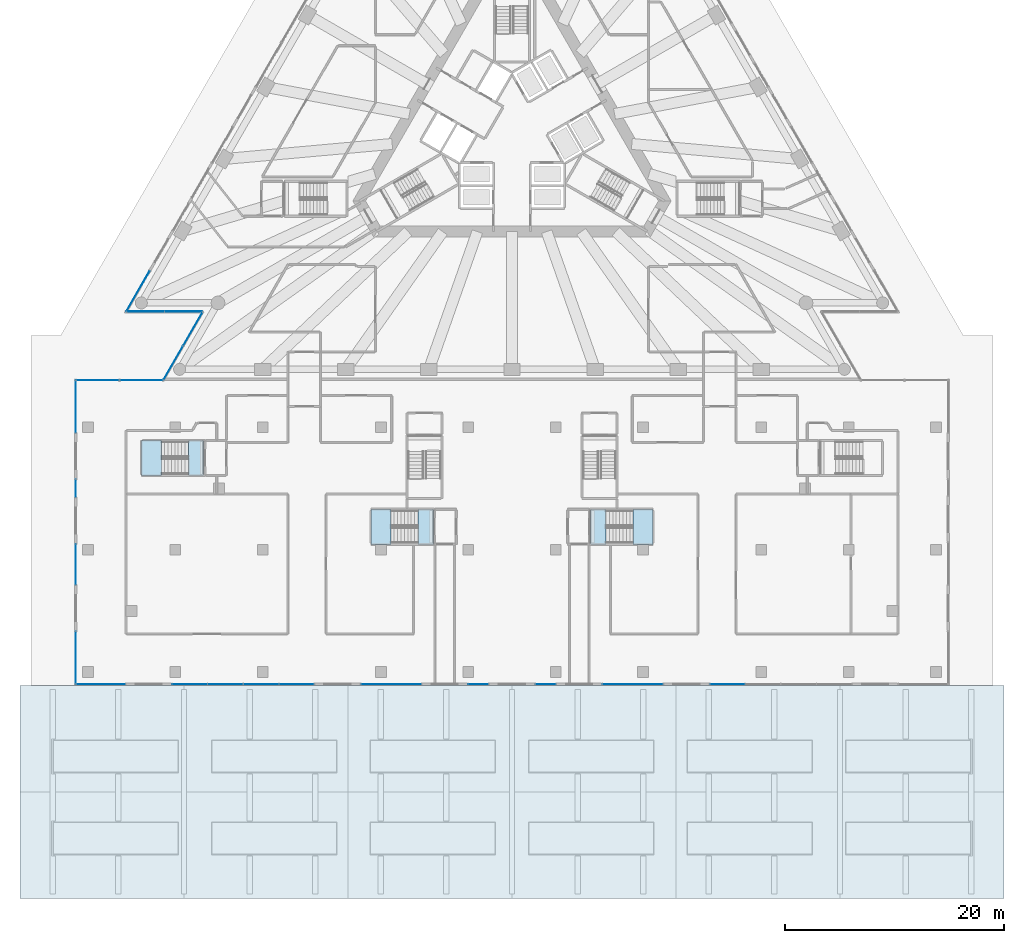
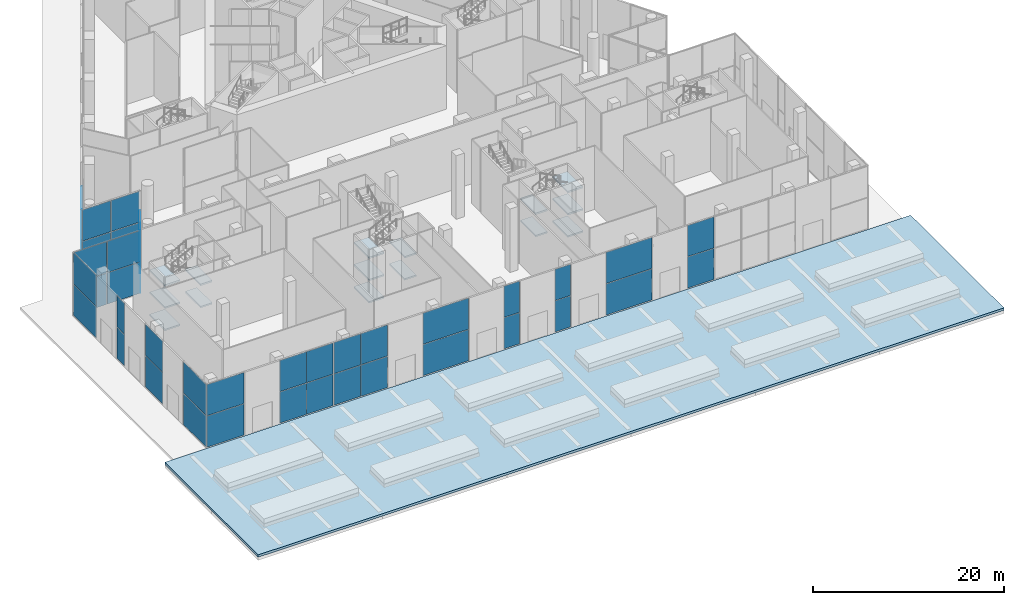
# One storey, part 16 of 41: 41 plates, 16 slabs, 20 elements without a shape of their own.
"""IFC4 building model written with IfcOpenShell, lengths in metres."""

from ifc_helpers import new_model, si_unit, direction, frame, origin, origin_2d, place, context, subcontext, project, spatial, polyline, rectangle, outline, extrude, material, layer, layer_set, type_object, element, aggregate, save


model = new_model("IFC4")

# Units and contexts
model_context = context("Model", 3, precision=1e-05, world=origin(), true_north=direction((0.0, 1.0)))
body_context = subcontext(model_context, "Body", "Model", "MODEL_VIEW")
ifc_project = project(units=[si_unit("LENGTHUNIT", "METRE"), si_unit("AREAUNIT", "SQUARE_METRE"), si_unit("VOLUMEUNIT", "CUBIC_METRE"), si_unit("PLANEANGLEUNIT", "RADIAN"), si_unit("MASSUNIT", "GRAM", prefix="KILO")], contexts=[model_context])

# Site, building, storey
site_placement = place(None, origin())
site = spatial("IfcSite", under=ifc_project, at=site_placement, CompositionType="ELEMENT")
building_placement = place(site_placement, origin())
building = spatial("IfcBuilding", under=site, at=building_placement, Name="Triada Interchange Tower", CompositionType="ELEMENT")
storey_placement = place(building_placement, origin())
storey = spatial("IfcBuildingStorey", under=building, at=storey_placement, Name="L00", CompositionType="ELEMENT", Elevation=0.0)

# Curtain wall, plates
ifc_material_1 = material(Name="Aluminium framed glazing", Category="aluminium")
ifc_layer_1 = layer(ifc_material_1, 0.199951171875)
ifc_layer_set_1 = layer_set([ifc_layer_1], Name="Curtain wall Concourse glazed screen")
curtain_wall_type_1 = type_object("IfcCurtainWallType", Name="Curtain wall Concourse glazed screen", PredefinedType="NOTDEFINED", material=ifc_layer_set_1)
curtain_wall_1_placement = place(storey_placement, origin())
curtain_wall_1 = element("IfcCurtainWall", 1, at=curtain_wall_1_placement, inside=storey, type_object=curtain_wall_type_1, Name="Concourse glazed screen CW038 L00", PredefinedType="NOTDEFINED")
ifc_material_2 = material(Name="Insulated glazing unit", Category="glass")
ifc_layer_2 = layer(ifc_material_2, 0.031982421875)
ifc_layer_set_2 = layer_set([ifc_layer_2], Name="Glazing panel Concourse glazed screen 32")
plate_type_1 = type_object("IfcPlateType", Name="Glazing panel Concourse glazed screen 32", PredefinedType="CURTAIN_PANEL", material=ifc_layer_set_2)
plate_1_placement = place(storey_placement, frame((-34.20458984375, -14.443603515625, 0.06005859375), z_axis=(0.0, 0.0, 1.0), x_axis=(-0.500074377095, -0.86598245789, 0.0)))
plate_1 = element("IfcPlate", 2, at=plate_1_placement, type_object=plate_type_1, Name="CW038 panel 1.1", PredefinedType="CURTAIN_PANEL", context=body_context, shape_type="SweptSolid", body=[
    extrude(rectangle(XDim=4.225341796875, YDim=0.031982421875, at=origin_2d()), origin(), (0.0, 0.0, 1.0), 3.9599609375),
])
plate_2_placement = place(storey_placement, frame((-34.20458984375, -14.443603515625, 4.080078125), z_axis=(0.0, 0.0, 1.0), x_axis=(-0.500074377095, -0.86598245789, 0.0)))
plate_2 = element("IfcPlate", 3, at=plate_2_placement, type_object=plate_type_1, Name="CW038 panel 1.2", PredefinedType="CURTAIN_PANEL", context=body_context, shape_type="SweptSolid", body=[
    extrude(rectangle(XDim=4.225341796875, YDim=0.031982421875, at=origin_2d()), origin(), (0.0, 0.0, 1.0), 3.9599609375),
])
aggregate(curtain_wall_1, [plate_1, plate_2])

ifc_layer_3 = layer(ifc_material_1, 0.199951171875)
ifc_layer_set_3 = layer_set([ifc_layer_3], Name="Curtain wall Retail shopfront")
curtain_wall_type_2 = type_object("IfcCurtainWallType", Name="Curtain wall Retail shopfront", PredefinedType="NOTDEFINED", material=ifc_layer_set_3)
curtain_wall_2_placement = place(storey_placement, origin())
curtain_wall_2 = element("IfcCurtainWall", 4, at=curtain_wall_2_placement, inside=storey, type_object=curtain_wall_type_2, Name="Retail shopfront CW001 L00", PredefinedType="NOTDEFINED")
ifc_layer_4 = layer(ifc_material_2, 0.028076171875)
ifc_layer_set_4 = layer_set([ifc_layer_4], Name="Glazing panel Retail shopfront 28")
plate_type_2 = type_object("IfcPlateType", Name="Glazing panel Retail shopfront 28", PredefinedType="CURTAIN_PANEL", material=ifc_layer_set_4)
plate_3_placement = place(storey_placement, frame((-37.610107421875, -50.39990234375, 0.050048828125), z_axis=(0.0, 0.0, 1.0), x_axis=(1.0, 0.0, 0.0)))
plate_3 = element("IfcPlate", 5, at=plate_3_placement, type_object=plate_type_2, Name="CW001 panel 1.1", PredefinedType="CURTAIN_PANEL", context=body_context, shape_type="SweptSolid", body=[
    extrude(rectangle(XDim=4.47998046875, YDim=0.028076171875, at=origin_2d()), origin(), (0.0, 0.0, 1.0), 3.97509765625),
])
plate_4_placement = place(storey_placement, frame((-37.610107421875, -50.39990234375, 4.074951171875), z_axis=(0.0, 0.0, 1.0), x_axis=(1.0, 0.0, 0.0)))
plate_4 = element("IfcPlate", 6, at=plate_4_placement, type_object=plate_type_2, Name="CW001 panel 1.2", PredefinedType="CURTAIN_PANEL", context=body_context, shape_type="SweptSolid", body=[
    extrude(rectangle(XDim=4.47998046875, YDim=0.028076171875, at=origin_2d()), origin(), (0.0, 0.0, 1.0), 3.97509765625),
])
aggregate(curtain_wall_2, [plate_3, plate_4])

curtain_wall_3_placement = place(storey_placement, origin())
curtain_wall_3 = element("IfcCurtainWall", 7, at=curtain_wall_3_placement, inside=storey, type_object=curtain_wall_type_2, Name="Retail shopfront CW002 L00", PredefinedType="NOTDEFINED")
plate_5_placement = place(storey_placement, frame((-29.476318359375, -50.39990234375, 0.050048828125), z_axis=(0.0, 0.0, 1.0), x_axis=(1.0, 0.0, 0.0)))
plate_5 = element("IfcPlate", 8, at=plate_5_placement, type_object=plate_type_2, Name="CW002 panel 1.1", PredefinedType="CURTAIN_PANEL", context=body_context, shape_type="SweptSolid", body=[
    extrude(rectangle(XDim=3.1875, YDim=0.028076171875, at=origin_2d()), origin(), (0.0, 0.0, 1.0), 3.97509765625),
])
plate_6_placement = place(storey_placement, frame((-29.476318359375, -50.39990234375, 4.074951171875), z_axis=(0.0, 0.0, 1.0), x_axis=(1.0, 0.0, 0.0)))
plate_6 = element("IfcPlate", 9, at=plate_6_placement, type_object=plate_type_2, Name="CW002 panel 1.2", PredefinedType="CURTAIN_PANEL", context=body_context, shape_type="SweptSolid", body=[
    extrude(rectangle(XDim=3.1875, YDim=0.028076171875, at=origin_2d()), origin(), (0.0, 0.0, 1.0), 3.97509765625),
])
plate_7_placement = place(storey_placement, frame((-26.23876953125, -50.39990234375, 0.050048828125), z_axis=(0.0, 0.0, 1.0), x_axis=(1.0, 0.0, 0.0)))
plate_7 = element("IfcPlate", 10, at=plate_7_placement, type_object=plate_type_2, Name="CW002 panel 2.1", PredefinedType="CURTAIN_PANEL", context=body_context, shape_type="SweptSolid", body=[
    extrude(rectangle(XDim=3.1875, YDim=0.028076171875, at=origin_2d()), origin(), (0.0, 0.0, 1.0), 3.97509765625),
])
plate_8_placement = place(storey_placement, frame((-26.23876953125, -50.39990234375, 4.074951171875), z_axis=(0.0, 0.0, 1.0), x_axis=(1.0, 0.0, 0.0)))
plate_8 = element("IfcPlate", 11, at=plate_8_placement, type_object=plate_type_2, Name="CW002 panel 2.2", PredefinedType="CURTAIN_PANEL", context=body_context, shape_type="SweptSolid", body=[
    extrude(rectangle(XDim=3.1875, YDim=0.028076171875, at=origin_2d()), origin(), (0.0, 0.0, 1.0), 3.97509765625),
])
aggregate(curtain_wall_3, [plate_5, plate_6, plate_7, plate_8])

curtain_wall_4_placement = place(storey_placement, origin())
curtain_wall_4 = element("IfcCurtainWall", 12, at=curtain_wall_4_placement, inside=storey, type_object=curtain_wall_type_2, Name="Retail shopfront CW003 L00", PredefinedType="NOTDEFINED")
plate_9_placement = place(storey_placement, frame((-22.941162109375, -50.39990234375, 0.050048828125), z_axis=(0.0, 0.0, 1.0), x_axis=(1.0, 0.0, 0.0)))
plate_9 = element("IfcPlate", 13, at=plate_9_placement, type_object=plate_type_2, Name="CW003 panel 1.1", PredefinedType="CURTAIN_PANEL", context=body_context, shape_type="SweptSolid", body=[
    extrude(rectangle(XDim=3.1875, YDim=0.028076171875, at=origin_2d()), origin(), (0.0, 0.0, 1.0), 3.97509765625),
])
plate_10_placement = place(storey_placement, frame((-22.941162109375, -50.39990234375, 4.074951171875), z_axis=(0.0, 0.0, 1.0), x_axis=(1.0, 0.0, 0.0)))
plate_10 = element("IfcPlate", 14, at=plate_10_placement, type_object=plate_type_2, Name="CW003 panel 1.2", PredefinedType="CURTAIN_PANEL", context=body_context, shape_type="SweptSolid", body=[
    extrude(rectangle(XDim=3.1875, YDim=0.028076171875, at=origin_2d()), origin(), (0.0, 0.0, 1.0), 3.97509765625),
])
plate_11_placement = place(storey_placement, frame((-19.703857421875, -50.39990234375, 0.050048828125), z_axis=(0.0, 0.0, 1.0), x_axis=(1.0, 0.0, 0.0)))
plate_11 = element("IfcPlate", 15, at=plate_11_placement, type_object=plate_type_2, Name="CW003 panel 2.1", PredefinedType="CURTAIN_PANEL", context=body_context, shape_type="SweptSolid", body=[
    extrude(rectangle(XDim=3.1875, YDim=0.028076171875, at=origin_2d()), origin(), (0.0, 0.0, 1.0), 3.97509765625),
])
plate_12_placement = place(storey_placement, frame((-19.703857421875, -50.39990234375, 4.074951171875), z_axis=(0.0, 0.0, 1.0), x_axis=(1.0, 0.0, 0.0)))
plate_12 = element("IfcPlate", 16, at=plate_12_placement, type_object=plate_type_2, Name="CW003 panel 2.2", PredefinedType="CURTAIN_PANEL", context=body_context, shape_type="SweptSolid", body=[
    extrude(rectangle(XDim=3.1875, YDim=0.028076171875, at=origin_2d()), origin(), (0.0, 0.0, 1.0), 3.97509765625),
])
aggregate(curtain_wall_4, [plate_9, plate_10, plate_11, plate_12])

curtain_wall_5_placement = place(storey_placement, origin())
curtain_wall_5 = element("IfcCurtainWall", 17, at=curtain_wall_5_placement, inside=storey, type_object=curtain_wall_type_2, Name="Retail shopfront CW004 L00", PredefinedType="NOTDEFINED")
plate_13_placement = place(storey_placement, frame((-11.054931640625, -50.39990234375, 0.050048828125), z_axis=(0.0, 0.0, 1.0), x_axis=(1.0, 0.0, 0.0)))
plate_13 = element("IfcPlate", 18, at=plate_13_placement, type_object=plate_type_2, Name="CW004 panel 1.1", PredefinedType="CURTAIN_PANEL", context=body_context, shape_type="SweptSolid", body=[
    extrude(rectangle(XDim=5.510009765625, YDim=0.028076171875, at=origin_2d()), origin(), (0.0, 0.0, 1.0), 3.97509765625),
])
plate_14_placement = place(storey_placement, frame((-11.054931640625, -50.39990234375, 4.074951171875), z_axis=(0.0, 0.0, 1.0), x_axis=(1.0, 0.0, 0.0)))
plate_14 = element("IfcPlate", 19, at=plate_14_placement, type_object=plate_type_2, Name="CW004 panel 1.2", PredefinedType="CURTAIN_PANEL", context=body_context, shape_type="SweptSolid", body=[
    extrude(rectangle(XDim=5.510009765625, YDim=0.028076171875, at=origin_2d()), origin(), (0.0, 0.0, 1.0), 3.97509765625),
])
aggregate(curtain_wall_5, [plate_13, plate_14])

curtain_wall_6_placement = place(storey_placement, origin())
curtain_wall_6 = element("IfcCurtainWall", 20, at=curtain_wall_6_placement, inside=storey, type_object=curtain_wall_type_2, Name="Retail shopfront CW005 L00", PredefinedType="NOTDEFINED")
plate_15_placement = place(storey_placement, frame((-3.074951171875, -50.39990234375, 0.050048828125), z_axis=(0.0, 0.0, 1.0), x_axis=(1.0, 0.0, 0.0)))
plate_15 = element("IfcPlate", 21, at=plate_15_placement, type_object=plate_type_2, Name="CW005 panel 1.1", PredefinedType="CURTAIN_PANEL", context=body_context, shape_type="SweptSolid", body=[
    extrude(rectangle(XDim=1.85009765625, YDim=0.028076171875, at=origin_2d()), origin(), (0.0, 0.0, 1.0), 3.97509765625),
])
plate_16_placement = place(storey_placement, frame((-3.074951171875, -50.39990234375, 4.074951171875), z_axis=(0.0, 0.0, 1.0), x_axis=(1.0, 0.0, 0.0)))
plate_16 = element("IfcPlate", 22, at=plate_16_placement, type_object=plate_type_2, Name="CW005 panel 1.2", PredefinedType="CURTAIN_PANEL", context=body_context, shape_type="SweptSolid", body=[
    extrude(rectangle(XDim=1.85009765625, YDim=0.028076171875, at=origin_2d()), origin(), (0.0, 0.0, 1.0), 3.97509765625),
])
aggregate(curtain_wall_6, [plate_15, plate_16])

curtain_wall_7_placement = place(storey_placement, origin())
curtain_wall_7 = element("IfcCurtainWall", 23, at=curtain_wall_7_placement, inside=storey, type_object=curtain_wall_type_2, Name="Retail shopfront CW006 L00", PredefinedType="NOTDEFINED")
plate_17_placement = place(storey_placement, frame((3.074951171875, -50.39990234375, 0.050048828125), z_axis=(0.0, 0.0, 1.0), x_axis=(1.0, 0.0, 0.0)))
plate_17 = element("IfcPlate", 24, at=plate_17_placement, type_object=plate_type_2, Name="CW006 panel 1.1", PredefinedType="CURTAIN_PANEL", context=body_context, shape_type="SweptSolid", body=[
    extrude(rectangle(XDim=1.85009765625, YDim=0.028076171875, at=origin_2d()), origin(), (0.0, 0.0, 1.0), 3.97509765625),
])
plate_18_placement = place(storey_placement, frame((3.074951171875, -50.39990234375, 4.074951171875), z_axis=(0.0, 0.0, 1.0), x_axis=(1.0, 0.0, 0.0)))
plate_18 = element("IfcPlate", 25, at=plate_18_placement, type_object=plate_type_2, Name="CW006 panel 1.2", PredefinedType="CURTAIN_PANEL", context=body_context, shape_type="SweptSolid", body=[
    extrude(rectangle(XDim=1.85009765625, YDim=0.028076171875, at=origin_2d()), origin(), (0.0, 0.0, 1.0), 3.97509765625),
])
aggregate(curtain_wall_7, [plate_17, plate_18])

curtain_wall_8_placement = place(storey_placement, origin())
curtain_wall_8 = element("IfcCurtainWall", 26, at=curtain_wall_8_placement, inside=storey, type_object=curtain_wall_type_2, Name="Retail shopfront CW007 L00", PredefinedType="NOTDEFINED")
plate_19_placement = place(storey_placement, frame((11.054931640625, -50.39990234375, 0.050048828125), z_axis=(0.0, 0.0, 1.0), x_axis=(1.0, 0.0, 0.0)))
plate_19 = element("IfcPlate", 27, at=plate_19_placement, type_object=plate_type_2, Name="CW007 panel 1.1", PredefinedType="CURTAIN_PANEL", context=body_context, shape_type="SweptSolid", body=[
    extrude(rectangle(XDim=5.510009765625, YDim=0.028076171875, at=origin_2d()), origin(), (0.0, 0.0, 1.0), 3.97509765625),
])
plate_20_placement = place(storey_placement, frame((11.054931640625, -50.39990234375, 4.074951171875), z_axis=(0.0, 0.0, 1.0), x_axis=(1.0, 0.0, 0.0)))
plate_20 = element("IfcPlate", 28, at=plate_20_placement, type_object=plate_type_2, Name="CW007 panel 1.2", PredefinedType="CURTAIN_PANEL", context=body_context, shape_type="SweptSolid", body=[
    extrude(rectangle(XDim=5.510009765625, YDim=0.028076171875, at=origin_2d()), origin(), (0.0, 0.0, 1.0), 3.97509765625),
])
aggregate(curtain_wall_8, [plate_19, plate_20])

curtain_wall_9_placement = place(storey_placement, origin())
curtain_wall_9 = element("IfcCurtainWall", 29, at=curtain_wall_9_placement, inside=storey, type_object=curtain_wall_type_2, Name="Retail shopfront CW008 L00", PredefinedType="NOTDEFINED")
plate_21_placement = place(storey_placement, frame((19.703857421875, -50.39990234375, 0.050048828125), z_axis=(0.0, 0.0, 1.0), x_axis=(1.0, 0.0, 0.0)))
plate_21 = element("IfcPlate", 30, at=plate_21_placement, type_object=plate_type_2, Name="CW008 panel 1.1", PredefinedType="CURTAIN_PANEL", context=body_context, shape_type="SweptSolid", body=[
    extrude(rectangle(XDim=3.1875, YDim=0.028076171875, at=origin_2d()), origin(), (0.0, 0.0, 1.0), 3.97509765625),
])
plate_22_placement = place(storey_placement, frame((19.703857421875, -50.39990234375, 4.074951171875), z_axis=(0.0, 0.0, 1.0), x_axis=(1.0, 0.0, 0.0)))
plate_22 = element("IfcPlate", 31, at=plate_22_placement, type_object=plate_type_2, Name="CW008 panel 1.2", PredefinedType="CURTAIN_PANEL", context=body_context, shape_type="SweptSolid", body=[
    extrude(rectangle(XDim=3.1875, YDim=0.028076171875, at=origin_2d()), origin(), (0.0, 0.0, 1.0), 3.97509765625),
])
aggregate(curtain_wall_9, [plate_21, plate_22])

curtain_wall_10_placement = place(storey_placement, origin())
curtain_wall_10 = element("IfcCurtainWall", 32, at=curtain_wall_10_placement, inside=storey, type_object=curtain_wall_type_2, Name="Retail shopfront CW041 L00", PredefinedType="NOTDEFINED")
plate_23_placement = place(storey_placement, frame((-33.89599609375, -22.60009765625, 0.050048828125), z_axis=(0.0, 0.0, 1.0), x_axis=(-1.0, 0.0, 0.0)))
plate_23 = element("IfcPlate", 33, at=plate_23_placement, type_object=plate_type_2, Name="CW041 panel 1.1", PredefinedType="CURTAIN_PANEL", context=body_context, shape_type="SweptSolid", body=[
    extrude(rectangle(XDim=3.89599609375, YDim=0.028076171875, at=origin_2d()), origin(), (0.0, 0.0, 1.0), 3.97509765625),
])
plate_24_placement = place(storey_placement, frame((-33.89599609375, -22.60009765625, 4.074951171875), z_axis=(0.0, 0.0, 1.0), x_axis=(-1.0, 0.0, 0.0)))
plate_24 = element("IfcPlate", 34, at=plate_24_placement, type_object=plate_type_2, Name="CW041 panel 1.2", PredefinedType="CURTAIN_PANEL", context=body_context, shape_type="SweptSolid", body=[
    extrude(rectangle(XDim=3.89599609375, YDim=0.028076171875, at=origin_2d()), origin(), (0.0, 0.0, 1.0), 3.97509765625),
])
aggregate(curtain_wall_10, [plate_23, plate_24])

curtain_wall_11_placement = place(storey_placement, origin())
curtain_wall_11 = element("IfcCurtainWall", 35, at=curtain_wall_11_placement, inside=storey, type_object=curtain_wall_type_2, Name="Retail shopfront CW042 L00", PredefinedType="NOTDEFINED")
plate_25_placement = place(storey_placement, frame((-37.902099609375, -22.60009765625, 0.050048828125), z_axis=(0.0, 0.0, 1.0), x_axis=(-1.0, 0.0, 0.0)))
plate_25 = element("IfcPlate", 36, at=plate_25_placement, type_object=plate_type_2, Name="CW042 panel 1.1", PredefinedType="CURTAIN_PANEL", context=body_context, shape_type="SweptSolid", body=[
    extrude(rectangle(XDim=3.89599609375, YDim=0.028076171875, at=origin_2d()), origin(), (0.0, 0.0, 1.0), 3.97509765625),
])
plate_26_placement = place(storey_placement, frame((-37.902099609375, -22.60009765625, 4.074951171875), z_axis=(0.0, 0.0, 1.0), x_axis=(-1.0, 0.0, 0.0)))
plate_26 = element("IfcPlate", 37, at=plate_26_placement, type_object=plate_type_2, Name="CW042 panel 1.2", PredefinedType="CURTAIN_PANEL", context=body_context, shape_type="SweptSolid", body=[
    extrude(rectangle(XDim=3.89599609375, YDim=0.028076171875, at=origin_2d()), origin(), (0.0, 0.0, 1.0), 3.97509765625),
])
aggregate(curtain_wall_11, [plate_25, plate_26])

curtain_wall_12_placement = place(storey_placement, origin())
curtain_wall_12 = element("IfcCurtainWall", 38, at=curtain_wall_12_placement, inside=storey, type_object=curtain_wall_type_2, Name="Retail shopfront CW043 L00", PredefinedType="NOTDEFINED")
plate_27_placement = place(storey_placement, frame((-39.89990234375, -25.02490234375, 0.050048828125), z_axis=(0.0, 0.0, 1.0), x_axis=(0.0, -1.0, 0.0)))
plate_27 = element("IfcPlate", 39, at=plate_27_placement, type_object=plate_type_2, Name="CW043 panel 1.1", PredefinedType="CURTAIN_PANEL", context=body_context, shape_type="SweptSolid", body=[
    extrude(rectangle(XDim=4.75, YDim=0.028076171875, at=origin_2d()), origin(), (0.0, 0.0, 1.0), 3.97509765625),
])
plate_28_placement = place(storey_placement, frame((-39.89990234375, -25.02490234375, 4.074951171875), z_axis=(0.0, 0.0, 1.0), x_axis=(0.0, -1.0, 0.0)))
plate_28 = element("IfcPlate", 40, at=plate_28_placement, type_object=plate_type_2, Name="CW043 panel 1.2", PredefinedType="CURTAIN_PANEL", context=body_context, shape_type="SweptSolid", body=[
    extrude(rectangle(XDim=4.75, YDim=0.028076171875, at=origin_2d()), origin(), (0.0, 0.0, 1.0), 3.97509765625),
])
aggregate(curtain_wall_12, [plate_27, plate_28])

curtain_wall_13_placement = place(storey_placement, origin())
curtain_wall_13 = element("IfcCurtainWall", 41, at=curtain_wall_13_placement, inside=storey, type_object=curtain_wall_type_2, Name="Retail shopfront CW044 L00", PredefinedType="NOTDEFINED")
plate_29_placement = place(storey_placement, frame((-39.89990234375, -32.5, 0.050048828125), z_axis=(0.0, 0.0, 1.0), x_axis=(0.0, -1.0, 0.0)))
plate_29 = element("IfcPlate", 42, at=plate_29_placement, type_object=plate_type_2, Name="CW044 panel 1.1", PredefinedType="CURTAIN_PANEL", context=body_context, shape_type="SweptSolid", body=[
    extrude(rectangle(XDim=1.60009765625, YDim=0.028076171875, at=origin_2d()), origin(), (0.0, 0.0, 1.0), 3.97509765625),
])
plate_30_placement = place(storey_placement, frame((-39.89990234375, -32.5, 4.074951171875), z_axis=(0.0, 0.0, 1.0), x_axis=(0.0, -1.0, 0.0)))
plate_30 = element("IfcPlate", 43, at=plate_30_placement, type_object=plate_type_2, Name="CW044 panel 1.2", PredefinedType="CURTAIN_PANEL", context=body_context, shape_type="SweptSolid", body=[
    extrude(rectangle(XDim=1.60009765625, YDim=0.028076171875, at=origin_2d()), origin(), (0.0, 0.0, 1.0), 3.97509765625),
])
aggregate(curtain_wall_13, [plate_29, plate_30])

curtain_wall_14_placement = place(storey_placement, origin())
curtain_wall_14 = element("IfcCurtainWall", 44, at=curtain_wall_14_placement, inside=storey, type_object=curtain_wall_type_2, Name="Retail shopfront CW045 L00", PredefinedType="NOTDEFINED")
plate_31_placement = place(storey_placement, frame((-39.89990234375, -39.449951171875, 0.050048828125), z_axis=(0.0, 0.0, 1.0), x_axis=(0.0, -1.0, 0.0)))
plate_31 = element("IfcPlate", 45, at=plate_31_placement, type_object=plate_type_2, Name="CW045 panel 1.1", PredefinedType="CURTAIN_PANEL", context=body_context, shape_type="SweptSolid", body=[
    extrude(rectangle(XDim=3.699951171875, YDim=0.028076171875, at=origin_2d()), origin(), (0.0, 0.0, 1.0), 3.97509765625),
])
plate_32_placement = place(storey_placement, frame((-39.89990234375, -39.449951171875, 4.074951171875), z_axis=(0.0, 0.0, 1.0), x_axis=(0.0, -1.0, 0.0)))
plate_32 = element("IfcPlate", 46, at=plate_32_placement, type_object=plate_type_2, Name="CW045 panel 1.2", PredefinedType="CURTAIN_PANEL", context=body_context, shape_type="SweptSolid", body=[
    extrude(rectangle(XDim=3.699951171875, YDim=0.028076171875, at=origin_2d()), origin(), (0.0, 0.0, 1.0), 3.97509765625),
])
aggregate(curtain_wall_14, [plate_31, plate_32])

curtain_wall_15_placement = place(storey_placement, origin())
curtain_wall_15 = element("IfcCurtainWall", 47, at=curtain_wall_15_placement, inside=storey, type_object=curtain_wall_type_2, Name="Retail shopfront CW046 L00", PredefinedType="NOTDEFINED")
plate_33_placement = place(storey_placement, frame((-39.89990234375, -47.97509765625, 0.050048828125), z_axis=(0.0, 0.0, 1.0), x_axis=(0.0, -1.0, 0.0)))
plate_33 = element("IfcPlate", 48, at=plate_33_placement, type_object=plate_type_2, Name="CW046 panel 1.1", PredefinedType="CURTAIN_PANEL", context=body_context, shape_type="SweptSolid", body=[
    extrude(rectangle(XDim=4.75, YDim=0.028076171875, at=origin_2d()), origin(), (0.0, 0.0, 1.0), 3.97509765625),
])
plate_34_placement = place(storey_placement, frame((-39.89990234375, -47.97509765625, 4.074951171875), z_axis=(0.0, 0.0, 1.0), x_axis=(0.0, -1.0, 0.0)))
plate_34 = element("IfcPlate", 49, at=plate_34_placement, type_object=plate_type_2, Name="CW046 panel 1.2", PredefinedType="CURTAIN_PANEL", context=body_context, shape_type="SweptSolid", body=[
    extrude(rectangle(XDim=4.75, YDim=0.028076171875, at=origin_2d()), origin(), (0.0, 0.0, 1.0), 3.97509765625),
])
aggregate(curtain_wall_15, [plate_33, plate_34])

ifc_layer_5 = layer(ifc_material_1, 0.199951171875)
ifc_layer_set_5 = layer_set([ifc_layer_5], Name="Curtain wall Tower lobby glazing")
curtain_wall_type_3 = type_object("IfcCurtainWallType", Name="Curtain wall Tower lobby glazing", PredefinedType="NOTDEFINED", material=ifc_layer_set_5)
curtain_wall_16_placement = place(storey_placement, origin())
curtain_wall_16 = element("IfcCurtainWall", 50, at=curtain_wall_16_placement, inside=storey, type_object=curtain_wall_type_3, Name="Tower lobby glazing CW039 L00", PredefinedType="NOTDEFINED")
ifc_layer_6 = layer(ifc_material_2, 0.031982421875)
ifc_layer_set_6 = layer_set([ifc_layer_6], Name="Glazing panel Tower lobby glazing 32")
plate_type_3 = type_object("IfcPlateType", Name="Glazing panel Tower lobby glazing 32", PredefinedType="CURTAIN_PANEL", material=ifc_layer_set_6)
plate_35_placement = place(storey_placement, frame((-33.522216796875, -16.324951171875, 0.06005859375), z_axis=(0.0, 0.0, 1.0), x_axis=(1.0, 0.0, 0.0)))
plate_35 = element("IfcPlate", 51, at=plate_35_placement, type_object=plate_type_3, Name="CW039 panel 1.1", PredefinedType="CURTAIN_PANEL", context=body_context, shape_type="SweptSolid", body=[
    extrude(rectangle(XDim=3.41748046875, YDim=0.031982421875, at=origin_2d()), origin(), (0.0, 0.0, 1.0), 3.9599609375),
])
plate_36_placement = place(storey_placement, frame((-33.522216796875, -16.324951171875, 4.080078125), z_axis=(0.0, 0.0, 1.0), x_axis=(1.0, 0.0, 0.0)))
plate_36 = element("IfcPlate", 52, at=plate_36_placement, type_object=plate_type_3, Name="CW039 panel 1.2", PredefinedType="CURTAIN_PANEL", context=body_context, shape_type="SweptSolid", body=[
    extrude(rectangle(XDim=3.41748046875, YDim=0.031982421875, at=origin_2d()), origin(), (0.0, 0.0, 1.0), 3.9599609375),
])
plate_37_placement = place(storey_placement, frame((-30.044677734375, -16.324951171875, 0.06005859375), z_axis=(0.0, 0.0, 1.0), x_axis=(1.0, 0.0, 0.0)))
plate_37 = element("IfcPlate", 53, at=plate_37_placement, type_object=plate_type_3, Name="CW039 panel 2.1", PredefinedType="CURTAIN_PANEL", context=body_context, shape_type="SweptSolid", body=[
    extrude(rectangle(XDim=3.41748046875, YDim=0.031982421875, at=origin_2d()), origin(), (0.0, 0.0, 1.0), 3.9599609375),
])
plate_38_placement = place(storey_placement, frame((-30.044677734375, -16.324951171875, 4.080078125), z_axis=(0.0, 0.0, 1.0), x_axis=(1.0, 0.0, 0.0)))
plate_38 = element("IfcPlate", 54, at=plate_38_placement, type_object=plate_type_3, Name="CW039 panel 2.2", PredefinedType="CURTAIN_PANEL", context=body_context, shape_type="SweptSolid", body=[
    extrude(rectangle(XDim=3.41748046875, YDim=0.031982421875, at=origin_2d()), origin(), (0.0, 0.0, 1.0), 3.9599609375),
])
aggregate(curtain_wall_16, [plate_35, plate_36, plate_37, plate_38])

curtain_wall_17_placement = place(storey_placement, origin())
curtain_wall_17 = element("IfcCurtainWall", 55, at=curtain_wall_17_placement, inside=storey, type_object=curtain_wall_type_3, Name="Tower lobby glazing CW040 L00", PredefinedType="NOTDEFINED")
plate_39_placement = place(storey_placement, frame((-29.18896484375, -17.90673828125, 0.06005859375), z_axis=(0.0, 0.0, 1.0), x_axis=(-0.499909634761, -0.866077569894, 0.0)))
plate_39 = element("IfcPlate", 56, at=plate_39_placement, type_object=plate_type_3, Name="CW040 panel 1.1", PredefinedType="CURTAIN_PANEL", context=body_context, shape_type="SweptSolid", body=[
    extrude(rectangle(XDim=3.53271484375, YDim=0.031982421875, at=origin_2d()), origin(), (0.0, 0.0, 1.0), 3.9599609375),
])
plate_40_placement = place(storey_placement, frame((-30.985107421875, -21.018310546875, 0.06005859375), z_axis=(0.0, 0.0, 1.0), x_axis=(-0.499909634761, -0.866077569894, 0.0)))
plate_40 = element("IfcPlate", 57, at=plate_40_placement, type_object=plate_type_3, Name="CW040 panel 2.1", PredefinedType="CURTAIN_PANEL", context=body_context, shape_type="SweptSolid", body=[
    extrude(rectangle(XDim=3.53271484375, YDim=0.031982421875, at=origin_2d()), origin(), (0.0, 0.0, 1.0), 3.9599609375),
])
plate_41_placement = place(storey_placement, frame((-30.985107421875, -21.018310546875, 4.080078125), z_axis=(0.0, 0.0, 1.0), x_axis=(-0.499909634761, -0.866077569894, 0.0)))
plate_41 = element("IfcPlate", 58, at=plate_41_placement, type_object=plate_type_3, Name="CW040 panel 2.2", PredefinedType="CURTAIN_PANEL", context=body_context, shape_type="SweptSolid", body=[
    extrude(rectangle(XDim=3.53271484375, YDim=0.031982421875, at=origin_2d()), origin(), (0.0, 0.0, 1.0), 3.9599609375),
])
aggregate(curtain_wall_17, [plate_39, plate_40, plate_41])

# Slab
ifc_material_3 = material(Name="Granite paving on Concrete C30/37 base", Category="masonry")
ifc_layer_7 = layer(ifc_material_3, 0.300048828125)
ifc_layer_set_7 = layer_set([ifc_layer_7], Name="Paving slab 300")
slab_type_1 = type_object("IfcSlabType", Name="Paving slab 300", PredefinedType="USERDEFINED", material=ifc_layer_set_7)
slab_1_placement = place(storey_placement, frame((0.0, 0.0, -0.300048828125)))
element("IfcSlab", 59, at=slab_1_placement, inside=storey, type_object=slab_type_1, Name="Plaza paving 02", ObjectType="PAVING", PredefinedType="USERDEFINED", context=body_context, shape_type="SweptSolid", body=[
    extrude(outline(polyline([(40.0, -50.5), (-40.0, -50.5), (-45.0, -50.5), (-45.0, -70.0), (45.0, -70.0), (45.0, -50.5), (40.0, -50.5)])), origin(), (0.0, 0.0, 1.0), 0.300048828125),
])

# Stair, slabs
ifc_material_4 = material(Name="Concrete C35/45", Category="concrete")
stair_type = type_object("IfcStairType", Name="HALF TURN STAIR 1400", PredefinedType="HALF_TURN_STAIR", material=ifc_material_4)
stair_1_placement = place(storey_placement, origin())
stair_1 = element("IfcStair", 60, at=stair_1_placement, inside=storey, type_object=stair_type, Name="Exit stair S00-4", PredefinedType="HALF_TURN_STAIR")
ifc_layer_8 = layer(ifc_material_4, 0.199951171875)
ifc_layer_set_8 = layer_set([ifc_layer_8], Name="STAIR LANDING 200")
slab_type_2 = type_object("IfcSlabType", Name="STAIR LANDING 200", PredefinedType="LANDING", material=ifc_layer_set_8)
slab_2_placement = place(storey_placement, frame((0.0, 0.0, 1.216796875)))
slab_2 = element("IfcSlab", 61, at=slab_2_placement, type_object=slab_type_2, Name="S00-4 landing 1", PredefinedType="LANDING", context=body_context, shape_type="SweptSolid", body=[
    extrude(outline(polyline([(-12.89990234375, -37.60009765625), (-11.080078125, -37.60009765625), (-11.080078125, -34.39990234375), (-12.89990234375, -34.39990234375), (-12.89990234375, -37.60009765625)])), origin(), (0.0, 0.0, 1.0), 0.199951171875),
])
slab_3_placement = place(storey_placement, frame((0.0, 0.0, 4.050048828125)))
slab_3 = element("IfcSlab", 62, at=slab_3_placement, type_object=slab_type_2, Name="S00-4 landing 2", PredefinedType="LANDING", context=body_context, shape_type="SweptSolid", body=[
    extrude(outline(polyline([(-12.89990234375, -37.60009765625), (-11.080078125, -37.60009765625), (-11.080078125, -34.39990234375), (-12.89990234375, -34.39990234375), (-12.89990234375, -37.60009765625)])), origin(), (0.0, 0.0, 1.0), 0.199951171875),
])
slab_4_placement = place(storey_placement, frame((0.0, 0.0, 6.883544921875)))
slab_4 = element("IfcSlab", 63, at=slab_4_placement, type_object=slab_type_2, Name="S00-4 landing 3", PredefinedType="LANDING", context=body_context, shape_type="SweptSolid", body=[
    extrude(outline(polyline([(-12.89990234375, -37.60009765625), (-11.080078125, -37.60009765625), (-11.080078125, -34.39990234375), (-12.89990234375, -34.39990234375), (-12.89990234375, -37.60009765625)])), origin(), (0.0, 0.0, 1.0), 0.199951171875),
])
slab_5_placement = place(storey_placement, frame((0.0, 0.0, 2.63330078125)))
slab_5 = element("IfcSlab", 64, at=slab_5_placement, type_object=slab_type_2, Name="S00-4 landing 4", PredefinedType="LANDING", context=body_context, shape_type="SweptSolid", body=[
    extrude(outline(polyline([(-8.60009765625, -37.60009765625), (-7.199951171875, -37.60009765625), (-7.199951171875, -34.39990234375), (-8.60009765625, -34.39990234375), (-8.60009765625, -37.60009765625)])), origin(), (0.0, 0.0, 1.0), 0.2001953125),
])
slab_6_placement = place(storey_placement, frame((0.0, 0.0, 5.466796875)))
slab_6 = element("IfcSlab", 65, at=slab_6_placement, type_object=slab_type_2, Name="S00-4 landing 5", PredefinedType="LANDING", context=body_context, shape_type="SweptSolid", body=[
    extrude(outline(polyline([(-8.60009765625, -37.60009765625), (-7.199951171875, -37.60009765625), (-7.199951171875, -34.39990234375), (-8.60009765625, -34.39990234375), (-8.60009765625, -37.60009765625)])), origin(), (0.0, 0.0, 1.0), 0.199951171875),
])
aggregate(stair_1, [slab_2, slab_3, slab_4, slab_5, slab_6])

stair_2_placement = place(storey_placement, origin())
stair_2 = element("IfcStair", 66, at=stair_2_placement, inside=storey, type_object=stair_type, Name="Exit stair S00-5", PredefinedType="HALF_TURN_STAIR")
slab_7_placement = place(storey_placement, frame((0.0, 0.0, 1.216796875)))
slab_7 = element("IfcSlab", 67, at=slab_7_placement, type_object=slab_type_2, Name="S00-5 landing 1", PredefinedType="LANDING", context=body_context, shape_type="SweptSolid", body=[
    extrude(outline(polyline([(12.89990234375, -34.39990234375), (11.080078125, -34.39990234375), (11.080078125, -37.60009765625), (12.89990234375, -37.60009765625), (12.89990234375, -34.39990234375)])), origin(), (0.0, 0.0, 1.0), 0.199951171875),
])
slab_8_placement = place(storey_placement, frame((0.0, 0.0, 4.050048828125)))
slab_8 = element("IfcSlab", 68, at=slab_8_placement, type_object=slab_type_2, Name="S00-5 landing 2", PredefinedType="LANDING", context=body_context, shape_type="SweptSolid", body=[
    extrude(outline(polyline([(12.89990234375, -34.39990234375), (11.080078125, -34.39990234375), (11.080078125, -37.60009765625), (12.89990234375, -37.60009765625), (12.89990234375, -34.39990234375)])), origin(), (0.0, 0.0, 1.0), 0.199951171875),
])
slab_9_placement = place(storey_placement, frame((0.0, 0.0, 6.883544921875)))
slab_9 = element("IfcSlab", 69, at=slab_9_placement, type_object=slab_type_2, Name="S00-5 landing 3", PredefinedType="LANDING", context=body_context, shape_type="SweptSolid", body=[
    extrude(outline(polyline([(12.89990234375, -34.39990234375), (11.080078125, -34.39990234375), (11.080078125, -37.60009765625), (12.89990234375, -37.60009765625), (12.89990234375, -34.39990234375)])), origin(), (0.0, 0.0, 1.0), 0.199951171875),
])
slab_10_placement = place(storey_placement, frame((0.0, 0.0, 2.63330078125)))
slab_10 = element("IfcSlab", 70, at=slab_10_placement, type_object=slab_type_2, Name="S00-5 landing 4", PredefinedType="LANDING", context=body_context, shape_type="SweptSolid", body=[
    extrude(outline(polyline([(8.60009765625, -34.39990234375), (7.199951171875, -34.39990234375), (7.199951171875, -37.60009765625), (8.60009765625, -37.60009765625), (8.60009765625, -34.39990234375)])), origin(), (0.0, 0.0, 1.0), 0.2001953125),
])
slab_11_placement = place(storey_placement, frame((0.0, 0.0, 5.466796875)))
slab_11 = element("IfcSlab", 71, at=slab_11_placement, type_object=slab_type_2, Name="S00-5 landing 5", PredefinedType="LANDING", context=body_context, shape_type="SweptSolid", body=[
    extrude(outline(polyline([(8.60009765625, -34.39990234375), (7.199951171875, -34.39990234375), (7.199951171875, -37.60009765625), (8.60009765625, -37.60009765625), (8.60009765625, -34.39990234375)])), origin(), (0.0, 0.0, 1.0), 0.199951171875),
])
aggregate(stair_2, [slab_7, slab_8, slab_9, slab_10, slab_11])

stair_3_placement = place(storey_placement, origin())
stair_3 = element("IfcStair", 72, at=stair_3_placement, inside=storey, type_object=stair_type, Name="Exit stair S00-8", PredefinedType="HALF_TURN_STAIR")
slab_12_placement = place(storey_placement, frame((0.0, 0.0, 1.216796875)))
slab_12 = element("IfcSlab", 73, at=slab_12_placement, type_object=slab_type_2, Name="S00-8 landing 1", PredefinedType="LANDING", context=body_context, shape_type="SweptSolid", body=[
    extrude(outline(polyline([(-33.89990234375, -31.300048828125), (-32.080078125, -31.300048828125), (-32.080078125, -28.10009765625), (-33.89990234375, -28.10009765625), (-33.89990234375, -31.300048828125)])), origin(), (0.0, 0.0, 1.0), 0.199951171875),
])
slab_13_placement = place(storey_placement, frame((0.0, 0.0, 4.050048828125)))
slab_13 = element("IfcSlab", 74, at=slab_13_placement, type_object=slab_type_2, Name="S00-8 landing 2", PredefinedType="LANDING", context=body_context, shape_type="SweptSolid", body=[
    extrude(outline(polyline([(-33.89990234375, -31.300048828125), (-32.080078125, -31.300048828125), (-32.080078125, -28.10009765625), (-33.89990234375, -28.10009765625), (-33.89990234375, -31.300048828125)])), origin(), (0.0, 0.0, 1.0), 0.199951171875),
])
slab_14_placement = place(storey_placement, frame((0.0, 0.0, 6.883544921875)))
slab_14 = element("IfcSlab", 75, at=slab_14_placement, type_object=slab_type_2, Name="S00-8 landing 3", PredefinedType="LANDING", context=body_context, shape_type="SweptSolid", body=[
    extrude(outline(polyline([(-33.89990234375, -31.300048828125), (-32.080078125, -31.300048828125), (-32.080078125, -28.10009765625), (-33.89990234375, -28.10009765625), (-33.89990234375, -31.300048828125)])), origin(), (0.0, 0.0, 1.0), 0.199951171875),
])
slab_15_placement = place(storey_placement, frame((0.0, 0.0, 2.63330078125)))
slab_15 = element("IfcSlab", 76, at=slab_15_placement, type_object=slab_type_2, Name="S00-8 landing 4", PredefinedType="LANDING", context=body_context, shape_type="SweptSolid", body=[
    extrude(outline(polyline([(-29.60009765625, -31.300048828125), (-28.199951171875, -31.300048828125), (-28.199951171875, -28.10009765625), (-29.60009765625, -28.10009765625), (-29.60009765625, -31.300048828125)])), origin(), (0.0, 0.0, 1.0), 0.2001953125),
])
slab_16_placement = place(storey_placement, frame((0.0, 0.0, 5.466796875)))
slab_16 = element("IfcSlab", 77, at=slab_16_placement, type_object=slab_type_2, Name="S00-8 landing 5", PredefinedType="LANDING", context=body_context, shape_type="SweptSolid", body=[
    extrude(outline(polyline([(-29.60009765625, -31.300048828125), (-28.199951171875, -31.300048828125), (-28.199951171875, -28.10009765625), (-29.60009765625, -28.10009765625), (-29.60009765625, -31.300048828125)])), origin(), (0.0, 0.0, 1.0), 0.199951171875),
])
aggregate(stair_3, [slab_12, slab_13, slab_14, slab_15, slab_16])

save(model, "model.ifc")
